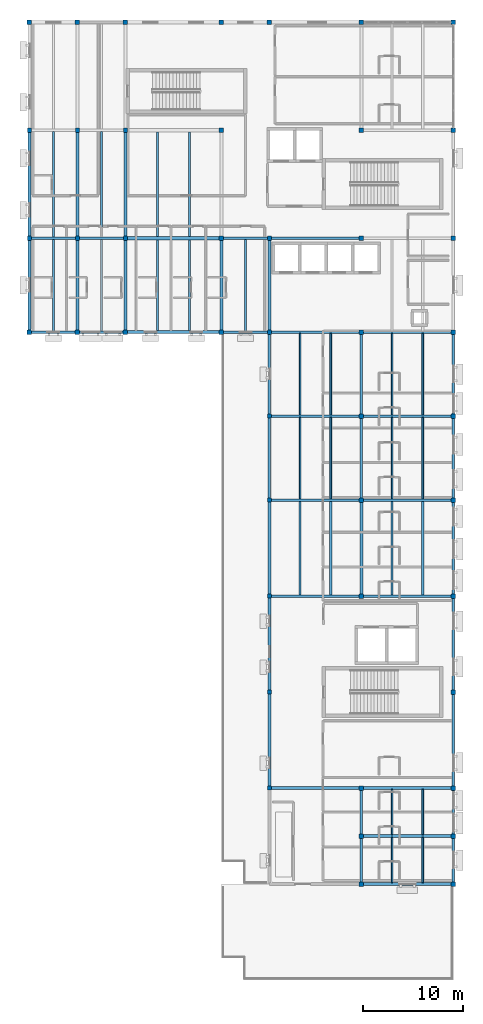
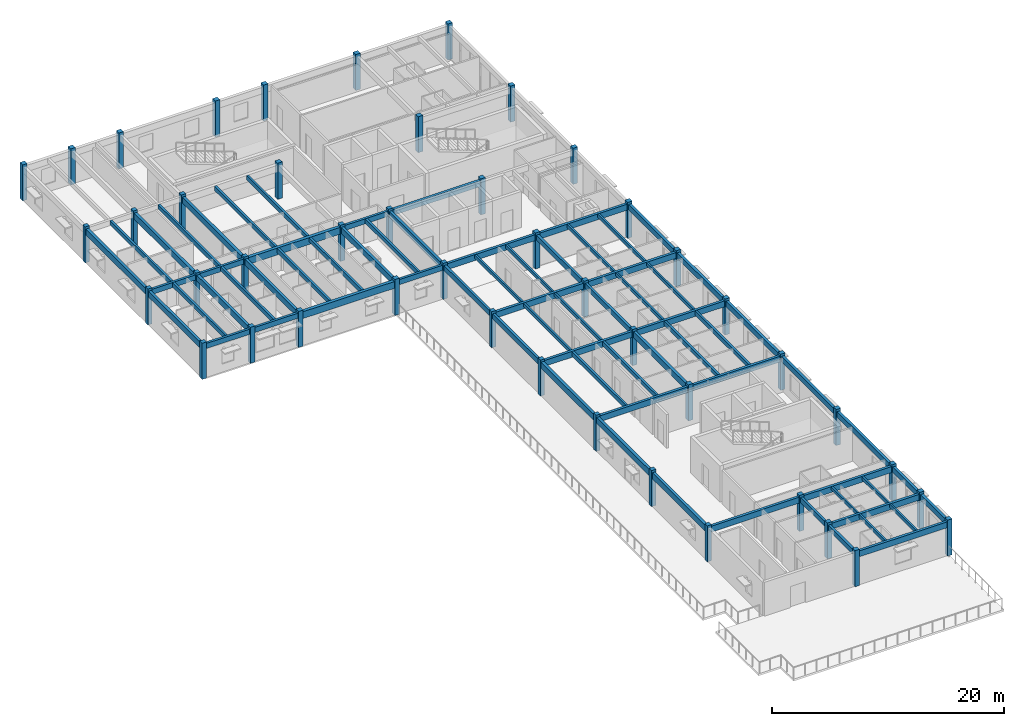
# One storey, part 1 of 18: 71 beams, 45 columns.
"""IFC4 building model written with IfcOpenShell, lengths in metres."""

from ifc_helpers import new_model, si_unit, direction, frame, origin, origin_2d, place, context, subcontext, project, spatial, rectangle, extrude, material, material_profile, profile_set, type_object, element, save


model = new_model("IFC4")

# Units and contexts
model_context = context("Model", 3, precision=1e-05, world=origin(), true_north=direction((0.0, 1.0)))
body_context = subcontext(model_context, "Body", "Model", "MODEL_VIEW")
ifc_project = project(units=[si_unit("LENGTHUNIT", "METRE"), si_unit("AREAUNIT", "SQUARE_METRE"), si_unit("VOLUMEUNIT", "CUBIC_METRE"), si_unit("PLANEANGLEUNIT", "RADIAN"), si_unit("MASSUNIT", "GRAM", prefix="KILO")], contexts=[model_context])

# Site, building, storey
site_placement = place(None, origin())
site = spatial("IfcSite", under=ifc_project, at=site_placement, CompositionType="ELEMENT")
building_placement = place(site_placement, origin())
building = spatial("IfcBuilding", under=site, at=building_placement, Name="Veldera Park Congress Hotel", CompositionType="ELEMENT")
storey_placement = place(building_placement, frame((0.0, 0.0, 31.39990234375)))
storey = spatial("IfcBuildingStorey", under=building, at=storey_placement, Name="L07", CompositionType="ELEMENT", Elevation=31.39990234375)

# Columns
ifc_material = material(Name="Glulam GL28h (NDS 24F-V4)", Category="wood")
ifc_material_profile_1 = material_profile(ifc_material, rectangle(XDim=0.419921875, YDim=0.419921875, at=origin_2d()), Name="GL28h 420x420")
ifc_profile_set_1 = profile_set([ifc_material_profile_1], Name="Glulam GL28h (NDS 24F-V4)")
column_type_1 = type_object("IfcColumnType", Name="COL-GL42", PredefinedType="COLUMN", material=ifc_profile_set_1)
for number, where, z_axis, x_axis, name in (
    (1, (41.60009765625, 36.39990234375, 0.0), (0.0, 0.0, 1.0), (1.0, 0.0, 0.0), "L07 Column COL-GL42 (41.6,36.4)"),
    (2, (41.60009765625, 47.199951171875, 0.0), (0.0, 0.0, 1.0), (1.0, 0.0, 0.0), "L07 Column COL-GL42 (41.6,47.2)"),
    (3, (65.60009765625, -18.60009765625, 0.0), (0.0, 0.0, 1.0), (1.0, 0.0, 0.0), "L07 Column COL-GL42 (65.6,-18.6)"),
    (4, (65.60009765625, -9.0, 0.0), (0.0, 0.0, 1.0), (1.0, 0.0, 0.0), "L07 Column COL-GL42 (65.6,-9.0)"),
    (5, (65.60009765625, 0.60009765625, 0.0), (0.0, 0.0, 1.0), (1.0, 0.0, 0.0), "L07 Column COL-GL42 (65.6,0.6)"),
    (6, (65.60009765625, 10.199951171875, 0.0), (0.0, 0.0, 1.0), (1.0, 0.0, 0.0), "L07 Column COL-GL42 (65.6,10.2)"),
    (7, (65.60009765625, 18.60009765625, 0.0), (0.0, 0.0, 1.0), (1.0, 0.0, 0.0), "L07 Column COL-GL42 (65.6,18.6)"),
    (8, (65.60009765625, 27.0, 0.0), (0.0, 0.0, 1.0), (1.0, 0.0, 0.0), "L07 Column COL-GL42 (65.6,27.0)"),
    (9, (65.60009765625, 36.39990234375, 0.0), (0.0, 0.0, 1.0), (1.0, 0.0, 0.0), "L07 Column COL-GL42 (65.6,36.4)"),
    (10, (46.39990234375, 36.39990234375, 0.0), (0.0, 0.0, 1.0), (1.0, 0.0, 0.0), "L07 Column COL-GL42 (46.4,36.4)"),
    (11, (46.39990234375, 47.199951171875, 0.0), (0.0, 0.0, 1.0), (1.0, 0.0, 0.0), "L07 Column COL-GL42 (46.4,47.2)"),
    (12, (51.199951171875, 36.39990234375, 0.0), (0.0, 0.0, 1.0), (1.0, 0.0, 0.0), "L07 Column COL-GL42 (51.2,36.4)"),
    (13, (51.199951171875, 47.199951171875, 0.0), (0.0, 0.0, 1.0), (1.0, 0.0, 0.0), "L07 Column COL-GL42 (51.2,47.2)"),
):
    element("IfcColumn", number, at=place(storey_placement, frame(where, z_axis=z_axis, x_axis=x_axis)), inside=storey, type_object=column_type_1, Name=name, PredefinedType="COLUMN", context=body_context, shape_type="SweptSolid", body=[
        extrude(rectangle(XDim=0.419921875, YDim=0.419921875, at=origin_2d()), origin(), (0.0, 0.0, 1.0), 3.800048828125),
    ])
ifc_material_profile_2 = material_profile(ifc_material, rectangle(XDim=0.449951171875, YDim=0.449951171875, at=origin_2d()), Name="GL28h 450x450")
ifc_profile_set_2 = profile_set([ifc_material_profile_2], Name="Glulam GL28h (NDS 24F-V4)")
column_type_2 = type_object("IfcColumnType", Name="COL-GL42E", PredefinedType="COLUMN", material=ifc_profile_set_2)
for number, where, z_axis, x_axis, name in (
    (14, (41.60009765625, 27.0, 0.0), (0.0, 0.0, 1.0), (1.0, 0.0, 0.0), "L07 Column COL-GL42E (41.6,27.0)"),
    (15, (41.60009765625, 58.0, 0.0), (0.0, 0.0, 1.0), (1.0, 0.0, 0.0), "L07 Column COL-GL42E (41.6,58.0)"),
    (16, (65.60009765625, 58.0, 0.0), (0.0, 0.0, 1.0), (1.0, 0.0, 0.0), "L07 Column COL-GL42E (65.6,58.0)"),
    (17, (46.39990234375, 27.0, 0.0), (0.0, 0.0, 1.0), (1.0, 0.0, 0.0), "L07 Column COL-GL42E (46.4,27.0)"),
    (18, (46.39990234375, 58.0, 0.0), (0.0, 0.0, 1.0), (1.0, 0.0, 0.0), "L07 Column COL-GL42E (46.4,58.0)"),
    (19, (51.199951171875, 27.0, 0.0), (0.0, 0.0, 1.0), (1.0, 0.0, 0.0), "L07 Column COL-GL42E (51.2,27.0)"),
    (20, (51.199951171875, 58.0, 0.0), (0.0, 0.0, 1.0), (1.0, 0.0, 0.0), "L07 Column COL-GL42E (51.2,58.0)"),
):
    element("IfcColumn", number, at=place(storey_placement, frame(where, z_axis=z_axis, x_axis=x_axis)), inside=storey, type_object=column_type_2, Name=name, PredefinedType="COLUMN", context=body_context, shape_type="SweptSolid", body=[
        extrude(rectangle(XDim=0.449951171875, YDim=0.449951171875, at=origin_2d()), origin(), (0.0, 0.0, 1.0), 3.800048828125),
    ])
ifc_material_profile_3 = material_profile(ifc_material, rectangle(XDim=0.449951171875, YDim=0.449951171875, at=origin_2d()), Name="GL28h 450x450")
ifc_profile_set_3 = profile_set([ifc_material_profile_3], Name="Glulam GL28h (NDS 24F-V4)")
column_type_3 = type_object("IfcColumnType", Name="COL-GL45", PredefinedType="COLUMN", material=ifc_profile_set_3)
for number, where, z_axis, x_axis, name in (
    (21, (74.800048828125, -28.199951171875, 0.0), (0.0, 0.0, 1.0), (1.0, 0.0, 0.0), "L07 Column COL-GL45 (74.8,-28.2)"),
    (22, (74.800048828125, -23.39990234375, 0.0), (0.0, 0.0, 1.0), (1.0, 0.0, 0.0), "L07 Column COL-GL45 (74.8,-23.4)"),
    (23, (74.800048828125, -18.60009765625, 0.0), (0.0, 0.0, 1.0), (1.0, 0.0, 0.0), "L07 Column COL-GL45 (74.8,-18.6)"),
    (24, (74.800048828125, 0.60009765625, 0.0), (0.0, 0.0, 1.0), (1.0, 0.0, 0.0), "L07 Column COL-GL45 (74.8,0.6)"),
    (25, (74.800048828125, 10.199951171875, 0.0), (0.0, 0.0, 1.0), (1.0, 0.0, 0.0), "L07 Column COL-GL45 (74.8,10.2)"),
    (26, (74.800048828125, 18.60009765625, 0.0), (0.0, 0.0, 1.0), (1.0, 0.0, 0.0), "L07 Column COL-GL45 (74.8,18.6)"),
    (27, (74.800048828125, 27.0, 0.0), (0.0, 0.0, 1.0), (1.0, 0.0, 0.0), "L07 Column COL-GL45 (74.8,27.0)"),
    (28, (74.800048828125, 36.39990234375, 0.0), (0.0, 0.0, 1.0), (1.0, 0.0, 0.0), "L07 Column COL-GL45 (74.8,36.4)"),
    (29, (74.800048828125, 47.199951171875, 0.0), (0.0, 0.0, 1.0), (1.0, 0.0, 0.0), "L07 Column COL-GL45 (74.8,47.2)"),
):
    element("IfcColumn", number, at=place(storey_placement, frame(where, z_axis=z_axis, x_axis=x_axis)), inside=storey, type_object=column_type_3, Name=name, PredefinedType="COLUMN", context=body_context, shape_type="SweptSolid", body=[
        extrude(rectangle(XDim=0.449951171875, YDim=0.449951171875, at=origin_2d()), origin(), (0.0, 0.0, 1.0), 3.800048828125),
    ])
ifc_material_profile_4 = material_profile(ifc_material, rectangle(XDim=0.449951171875, YDim=0.449951171875, at=origin_2d()), Name="GL28h 450x450")
ifc_profile_set_4 = profile_set([ifc_material_profile_4], Name="Glulam GL28h (NDS 24F-V4)")
column_type_4 = type_object("IfcColumnType", Name="COL-GL45E", PredefinedType="COLUMN", material=ifc_profile_set_4)
for number, where, z_axis, x_axis, name in (
    (30, (60.800048828125, 27.0, 0.0), (0.0, 0.0, 1.0), (1.0, 0.0, 0.0), "L07 Column COL-GL45E (60.8,27.0)"),
    (31, (60.800048828125, 36.39990234375, 0.0), (0.0, 0.0, 1.0), (1.0, 0.0, 0.0), "L07 Column COL-GL45E (60.8,36.4)"),
    (32, (60.800048828125, 47.199951171875, 0.0), (0.0, 0.0, 1.0), (1.0, 0.0, 0.0), "L07 Column COL-GL45E (60.8,47.2)"),
    (33, (60.800048828125, 58.0, 0.0), (0.0, 0.0, 1.0), (1.0, 0.0, 0.0), "L07 Column COL-GL45E (60.8,58.0)"),
    (34, (74.800048828125, 58.0, 0.0), (0.0, 0.0, 1.0), (1.0, 0.0, 0.0), "L07 Column COL-GL45E (74.8,58.0)"),
    (35, (84.0, -28.199951171875, 0.0), (0.0, 0.0, 1.0), (1.0, 0.0, 0.0), "L07 Column COL-GL45E (84.0,-28.2)"),
    (36, (84.0, -23.39990234375, 0.0), (0.0, 0.0, 1.0), (1.0, 0.0, 0.0), "L07 Column COL-GL45E (84.0,-23.4)"),
    (37, (84.0, -18.60009765625, 0.0), (0.0, 0.0, 1.0), (1.0, 0.0, 0.0), "L07 Column COL-GL45E (84.0,-18.6)"),
    (38, (84.0, -9.0, 0.0), (0.0, 0.0, 1.0), (1.0, 0.0, 0.0), "L07 Column COL-GL45E (84.0,-9.0)"),
    (39, (84.0, 0.60009765625, 0.0), (0.0, 0.0, 1.0), (1.0, 0.0, 0.0), "L07 Column COL-GL45E (84.0,0.6)"),
    (40, (84.0, 10.199951171875, 0.0), (0.0, 0.0, 1.0), (1.0, 0.0, 0.0), "L07 Column COL-GL45E (84.0,10.2)"),
    (41, (84.0, 18.60009765625, 0.0), (0.0, 0.0, 1.0), (1.0, 0.0, 0.0), "L07 Column COL-GL45E (84.0,18.6)"),
    (42, (84.0, 27.0, 0.0), (0.0, 0.0, 1.0), (1.0, 0.0, 0.0), "L07 Column COL-GL45E (84.0,27.0)"),
    (43, (84.0, 36.39990234375, 0.0), (0.0, 0.0, 1.0), (1.0, 0.0, 0.0), "L07 Column COL-GL45E (84.0,36.4)"),
    (44, (84.0, 47.199951171875, 0.0), (0.0, 0.0, 1.0), (1.0, 0.0, 0.0), "L07 Column COL-GL45E (84.0,47.2)"),
    (45, (84.0, 58.0, 0.0), (0.0, 0.0, 1.0), (1.0, 0.0, 0.0), "L07 Column COL-GL45E (84.0,58.0)"),
):
    element("IfcColumn", number, at=place(storey_placement, frame(where, z_axis=z_axis, x_axis=x_axis)), inside=storey, type_object=column_type_4, Name=name, PredefinedType="COLUMN", context=body_context, shape_type="SweptSolid", body=[
        extrude(rectangle(XDim=0.449951171875, YDim=0.449951171875, at=origin_2d()), origin(), (0.0, 0.0, 1.0), 3.800048828125),
    ])

# Beams
ifc_material_profile_5 = material_profile(ifc_material, rectangle(XDim=0.239990234375, YDim=0.5400390625, at=origin_2d()), Name="GL28h 240x540")
ifc_profile_set_5 = profile_set([ifc_material_profile_5], Name="Glulam GL28h (NDS 24F-V4)")
beam_type_1 = type_object("IfcBeamType", Name="BM-GL540", PredefinedType="BEAM", material=ifc_profile_set_5)
for number, where, z_axis, x_axis, name in (
    (46, (41.824951171875, 27.0, 3.28515625), (1.0, 0.0, 0.0), (0.0, 1.0, 0.0), "L07 Girder BM-GL540 1647"),
    (47, (46.625, 27.0, 3.28515625), (1.0, 0.0, 0.0), (0.0, 1.0, 0.0), "L07 Girder BM-GL540 1648"),
):
    element("IfcBeam", number, at=place(storey_placement, frame(where, z_axis=z_axis, x_axis=x_axis)), inside=storey, type_object=beam_type_1, Name=name, PredefinedType="BEAM", context=body_context, shape_type="SweptSolid", body=[
        extrude(rectangle(XDim=0.239990234375, YDim=0.5400390625, at=origin_2d()), origin(), (0.0, 0.0, 1.0), 4.35009765625),
    ])
beam_1_placement = place(storey_placement, frame((61.02490234375, 27.0, 3.28515625), z_axis=(1.0, 0.0, 0.0), x_axis=(0.0, 1.0, 0.0)))
element("IfcBeam", 48, at=beam_1_placement, inside=storey, type_object=beam_type_1, Name="L07 Girder BM-GL540 1650", PredefinedType="BEAM", context=body_context, shape_type="SweptSolid", body=[
    extrude(rectangle(XDim=0.239990234375, YDim=0.5400390625, at=origin_2d()), origin(), (0.0, 0.0, 1.0), 4.364990234375),
])
for number, where, z_axis, x_axis, name in (
    (49, (41.81005859375, 36.39990234375, 3.28515625), (1.0, 0.0, 0.0), (0.0, 1.0, 0.0), "L07 Girder BM-GL540 1653"),
    (50, (46.610107421875, 36.39990234375, 3.28515625), (1.0, 0.0, 0.0), (0.0, 1.0, 0.0), "L07 Girder BM-GL540 1654"),
):
    element("IfcBeam", number, at=place(storey_placement, frame(where, z_axis=z_axis, x_axis=x_axis)), inside=storey, type_object=beam_type_1, Name=name, PredefinedType="BEAM", context=body_context, shape_type="SweptSolid", body=[
        extrude(rectangle(XDim=0.239990234375, YDim=0.5400390625, at=origin_2d()), origin(), (0.0, 0.0, 1.0), 4.3798828125),
    ])
beam_2_placement = place(storey_placement, frame((61.02490234375, 36.39990234375, 3.28515625), z_axis=(1.0, 0.0, 0.0), x_axis=(0.0, 1.0, 0.0)))
element("IfcBeam", 51, at=beam_2_placement, inside=storey, type_object=beam_type_1, Name="L07 Girder BM-GL540 1656", PredefinedType="BEAM", context=body_context, shape_type="SweptSolid", body=[
    extrude(rectangle(XDim=0.239990234375, YDim=0.5400390625, at=origin_2d()), origin(), (0.0, 0.0, 1.0), 4.364990234375),
])
for number, where, z_axis, x_axis, name in (
    (52, (65.60009765625, 10.409912109375, 3.28515625), (0.0, 1.0, 0.0), (-1.0, 0.0, 0.0), "L07 Girder BM-GL540 1683"),
    (53, (65.60009765625, 18.81005859375, 3.28515625), (0.0, 1.0, 0.0), (-1.0, 0.0, 0.0), "L07 Girder BM-GL540 1684"),
):
    element("IfcBeam", number, at=place(storey_placement, frame(where, z_axis=z_axis, x_axis=x_axis)), inside=storey, type_object=beam_type_1, Name=name, PredefinedType="BEAM", context=body_context, shape_type="SweptSolid", body=[
        extrude(rectangle(XDim=0.239990234375, YDim=0.5400390625, at=origin_2d()), origin(), (0.0, 0.0, 1.0), 7.97998046875),
    ])
for number, where, z_axis, x_axis, name in (
    (54, (74.800048828125, -27.97509765625, 3.28515625), (0.0, 1.0, 0.0), (-1.0, 0.0, 0.0), "L07 Girder BM-GL540 1686"),
    (55, (74.800048828125, -23.175048828125, 3.28515625), (0.0, 1.0, 0.0), (-1.0, 0.0, 0.0), "L07 Girder BM-GL540 1687"),
):
    element("IfcBeam", number, at=place(storey_placement, frame(where, z_axis=z_axis, x_axis=x_axis)), inside=storey, type_object=beam_type_1, Name=name, PredefinedType="BEAM", context=body_context, shape_type="SweptSolid", body=[
        extrude(rectangle(XDim=0.239990234375, YDim=0.5400390625, at=origin_2d()), origin(), (0.0, 0.0, 1.0), 4.35009765625),
    ])
for number, where, z_axis, x_axis, name in (
    (56, (74.800048828125, 10.425048828125, 3.28515625), (0.0, 1.0, 0.0), (-1.0, 0.0, 0.0), "L07 Girder BM-GL540 1689"),
    (57, (74.800048828125, 18.824951171875, 3.28515625), (0.0, 1.0, 0.0), (-1.0, 0.0, 0.0), "L07 Girder BM-GL540 1690"),
):
    element("IfcBeam", number, at=place(storey_placement, frame(where, z_axis=z_axis, x_axis=x_axis)), inside=storey, type_object=beam_type_1, Name=name, PredefinedType="BEAM", context=body_context, shape_type="SweptSolid", body=[
        extrude(rectangle(XDim=0.239990234375, YDim=0.5400390625, at=origin_2d()), origin(), (0.0, 0.0, 1.0), 7.949951171875),
    ])
ifc_material_profile_6 = material_profile(ifc_material, rectangle(XDim=0.264892578125, YDim=0.580078125, at=origin_2d()), Name="GL28h 265x580")
ifc_profile_set_6 = profile_set([ifc_material_profile_6], Name="Glulam GL28h (NDS 24F-V4)")
beam_type_2 = type_object("IfcBeamType", Name="BM-GL540E", PredefinedType="BEAM", material=ifc_profile_set_6)
for number, where, z_axis, x_axis, name in (
    (58, (84.0, -27.97509765625, 3.26513671875), (0.0, 1.0, 0.0), (-1.0, 0.0, 0.0), "L07 Girder BM-GL540E 1692"),
    (59, (84.0, -23.175048828125, 3.26513671875), (0.0, 1.0, 0.0), (-1.0, 0.0, 0.0), "L07 Girder BM-GL540E 1693"),
):
    element("IfcBeam", number, at=place(storey_placement, frame(where, z_axis=z_axis, x_axis=x_axis)), inside=storey, type_object=beam_type_2, Name=name, PredefinedType="BEAM", context=body_context, shape_type="SweptSolid", body=[
        extrude(rectangle(XDim=0.264892578125, YDim=0.580078125, at=origin_2d()), origin(), (0.0, 0.0, 1.0), 4.35009765625),
    ])
for number, where, z_axis, x_axis, name in (
    (60, (84.0, -18.375, 3.26513671875), (0.0, 1.0, 0.0), (-1.0, 0.0, 0.0), "L07 Girder BM-GL540E 1694"),
    (61, (84.0, -8.77490234375, 3.26513671875), (0.0, 1.0, 0.0), (-1.0, 0.0, 0.0), "L07 Girder BM-GL540E 1695"),
):
    element("IfcBeam", number, at=place(storey_placement, frame(where, z_axis=z_axis, x_axis=x_axis)), inside=storey, type_object=beam_type_2, Name=name, PredefinedType="BEAM", context=body_context, shape_type="SweptSolid", body=[
        extrude(rectangle(XDim=0.264892578125, YDim=0.580078125, at=origin_2d()), origin(), (0.0, 0.0, 1.0), 9.14990234375),
    ])
beam_3_placement = place(storey_placement, frame((84.0, 0.824951171875, 3.26513671875), z_axis=(0.0, 1.0, 0.0), x_axis=(-1.0, 0.0, 0.0)))
element("IfcBeam", 62, at=beam_3_placement, inside=storey, type_object=beam_type_2, Name="L07 Girder BM-GL540E 1696", PredefinedType="BEAM", context=body_context, shape_type="SweptSolid", body=[
    extrude(rectangle(XDim=0.264892578125, YDim=0.580078125, at=origin_2d()), origin(), (0.0, 0.0, 1.0), 9.150146484375),
])
for number, where, z_axis, x_axis, name in (
    (63, (84.0, 10.425048828125, 3.26513671875), (0.0, 1.0, 0.0), (-1.0, 0.0, 0.0), "L07 Girder BM-GL540E 1697"),
    (64, (84.0, 18.824951171875, 3.26513671875), (0.0, 1.0, 0.0), (-1.0, 0.0, 0.0), "L07 Girder BM-GL540E 1698"),
):
    element("IfcBeam", number, at=place(storey_placement, frame(where, z_axis=z_axis, x_axis=x_axis)), inside=storey, type_object=beam_type_2, Name=name, PredefinedType="BEAM", context=body_context, shape_type="SweptSolid", body=[
        extrude(rectangle(XDim=0.264892578125, YDim=0.580078125, at=origin_2d()), origin(), (0.0, 0.0, 1.0), 7.949951171875),
    ])
ifc_material_profile_7 = material_profile(ifc_material, rectangle(XDim=0.264892578125, YDim=0.6201171875, at=origin_2d()), Name="GL28h 265x620")
ifc_profile_set_7 = profile_set([ifc_material_profile_7], Name="Glulam GL28h (NDS 24F-V4)")
beam_type_3 = type_object("IfcBeamType", Name="BM-GL620", PredefinedType="BEAM", material=ifc_profile_set_7)
for number, where, z_axis, x_axis, name in (
    (65, (75.02490234375, -28.199951171875, 3.2451171875), (1.0, 0.0, 0.0), (0.0, 1.0, 0.0), "L07 Girder BM-GL620 1637"),
    (66, (75.02490234375, -23.39990234375, 3.2451171875), (1.0, 0.0, 0.0), (0.0, 1.0, 0.0), "L07 Girder BM-GL620 1638"),
):
    element("IfcBeam", number, at=place(storey_placement, frame(where, z_axis=z_axis, x_axis=x_axis)), inside=storey, type_object=beam_type_3, Name=name, PredefinedType="BEAM", context=body_context, shape_type="SweptSolid", body=[
        extrude(rectangle(XDim=0.264892578125, YDim=0.6201171875, at=origin_2d()), origin(), (0.0, 0.0, 1.0), 8.75),
    ])
beam_4_placement = place(storey_placement, frame((65.81005859375, -18.60009765625, 3.2451171875), z_axis=(1.0, 0.0, 0.0), x_axis=(0.0, 1.0, 0.0)))
element("IfcBeam", 67, at=beam_4_placement, inside=storey, type_object=beam_type_3, Name="L07 Girder BM-GL620 1639", PredefinedType="BEAM", context=body_context, shape_type="SweptSolid", body=[
    extrude(rectangle(XDim=0.264892578125, YDim=0.6201171875, at=origin_2d()), origin(), (0.0, 0.0, 1.0), 8.764892578125),
])
beam_5_placement = place(storey_placement, frame((75.02490234375, -18.60009765625, 3.2451171875), z_axis=(1.0, 0.0, 0.0), x_axis=(0.0, 1.0, 0.0)))
element("IfcBeam", 68, at=beam_5_placement, inside=storey, type_object=beam_type_3, Name="L07 Girder BM-GL620 1640", PredefinedType="BEAM", context=body_context, shape_type="SweptSolid", body=[
    extrude(rectangle(XDim=0.264892578125, YDim=0.6201171875, at=origin_2d()), origin(), (0.0, 0.0, 1.0), 8.75),
])
beam_6_placement = place(storey_placement, frame((65.81005859375, 0.60009765625, 3.2451171875), z_axis=(1.0, 0.0, 0.0), x_axis=(0.0, 1.0, 0.0)))
element("IfcBeam", 69, at=beam_6_placement, inside=storey, type_object=beam_type_3, Name="L07 Girder BM-GL620 1641", PredefinedType="BEAM", context=body_context, shape_type="SweptSolid", body=[
    extrude(rectangle(XDim=0.264892578125, YDim=0.6201171875, at=origin_2d()), origin(), (0.0, 0.0, 1.0), 8.764892578125),
])
beam_7_placement = place(storey_placement, frame((75.02490234375, 0.60009765625, 3.2451171875), z_axis=(1.0, 0.0, 0.0), x_axis=(0.0, 1.0, 0.0)))
element("IfcBeam", 70, at=beam_7_placement, inside=storey, type_object=beam_type_3, Name="L07 Girder BM-GL620 1642", PredefinedType="BEAM", context=body_context, shape_type="SweptSolid", body=[
    extrude(rectangle(XDim=0.264892578125, YDim=0.6201171875, at=origin_2d()), origin(), (0.0, 0.0, 1.0), 8.75),
])
beam_8_placement = place(storey_placement, frame((65.81005859375, 10.199951171875, 3.2451171875), z_axis=(1.0, 0.0, 0.0), x_axis=(0.0, 1.0, 0.0)))
element("IfcBeam", 71, at=beam_8_placement, inside=storey, type_object=beam_type_3, Name="L07 Girder BM-GL620 1643", PredefinedType="BEAM", context=body_context, shape_type="SweptSolid", body=[
    extrude(rectangle(XDim=0.264892578125, YDim=0.6201171875, at=origin_2d()), origin(), (0.0, 0.0, 1.0), 8.764892578125),
])
beam_9_placement = place(storey_placement, frame((75.02490234375, 10.199951171875, 3.2451171875), z_axis=(1.0, 0.0, 0.0), x_axis=(0.0, 1.0, 0.0)))
element("IfcBeam", 72, at=beam_9_placement, inside=storey, type_object=beam_type_3, Name="L07 Girder BM-GL620 1644", PredefinedType="BEAM", context=body_context, shape_type="SweptSolid", body=[
    extrude(rectangle(XDim=0.264892578125, YDim=0.6201171875, at=origin_2d()), origin(), (0.0, 0.0, 1.0), 8.75),
])
beam_10_placement = place(storey_placement, frame((65.81005859375, 18.60009765625, 3.2451171875), z_axis=(1.0, 0.0, 0.0), x_axis=(0.0, 1.0, 0.0)))
element("IfcBeam", 73, at=beam_10_placement, inside=storey, type_object=beam_type_3, Name="L07 Girder BM-GL620 1645", PredefinedType="BEAM", context=body_context, shape_type="SweptSolid", body=[
    extrude(rectangle(XDim=0.264892578125, YDim=0.6201171875, at=origin_2d()), origin(), (0.0, 0.0, 1.0), 8.764892578125),
])
beam_11_placement = place(storey_placement, frame((75.02490234375, 18.60009765625, 3.2451171875), z_axis=(1.0, 0.0, 0.0), x_axis=(0.0, 1.0, 0.0)))
element("IfcBeam", 74, at=beam_11_placement, inside=storey, type_object=beam_type_3, Name="L07 Girder BM-GL620 1646", PredefinedType="BEAM", context=body_context, shape_type="SweptSolid", body=[
    extrude(rectangle(XDim=0.264892578125, YDim=0.6201171875, at=origin_2d()), origin(), (0.0, 0.0, 1.0), 8.75),
])
beam_12_placement = place(storey_placement, frame((65.81005859375, 27.0, 3.2451171875), z_axis=(1.0, 0.0, 0.0), x_axis=(0.0, 1.0, 0.0)))
element("IfcBeam", 75, at=beam_12_placement, inside=storey, type_object=beam_type_3, Name="L07 Girder BM-GL620 1651", PredefinedType="BEAM", context=body_context, shape_type="SweptSolid", body=[
    extrude(rectangle(XDim=0.264892578125, YDim=0.6201171875, at=origin_2d()), origin(), (0.0, 0.0, 1.0), 8.764892578125),
])
beam_13_placement = place(storey_placement, frame((75.02490234375, 27.0, 3.2451171875), z_axis=(1.0, 0.0, 0.0), x_axis=(0.0, 1.0, 0.0)))
element("IfcBeam", 76, at=beam_13_placement, inside=storey, type_object=beam_type_3, Name="L07 Girder BM-GL620 1652", PredefinedType="BEAM", context=body_context, shape_type="SweptSolid", body=[
    extrude(rectangle(XDim=0.264892578125, YDim=0.6201171875, at=origin_2d()), origin(), (0.0, 0.0, 1.0), 8.75),
])
beam_14_placement = place(storey_placement, frame((65.81005859375, 36.39990234375, 3.2451171875), z_axis=(1.0, 0.0, 0.0), x_axis=(0.0, 1.0, 0.0)))
element("IfcBeam", 77, at=beam_14_placement, inside=storey, type_object=beam_type_3, Name="L07 Girder BM-GL620 1657", PredefinedType="BEAM", context=body_context, shape_type="SweptSolid", body=[
    extrude(rectangle(XDim=0.264892578125, YDim=0.6201171875, at=origin_2d()), origin(), (0.0, 0.0, 1.0), 8.764892578125),
])
for number, where, z_axis, x_axis, name in (
    (78, (41.60009765625, 27.22509765625, 3.2451171875), (0.0, 1.0, 0.0), (-1.0, 0.0, 0.0), "L07 Girder BM-GL620 1669"),
    (79, (46.39990234375, 27.22509765625, 3.2451171875), (0.0, 1.0, 0.0), (-1.0, 0.0, 0.0), "L07 Girder BM-GL620 1672"),
    (80, (51.199951171875, 27.22509765625, 3.2451171875), (0.0, 1.0, 0.0), (-1.0, 0.0, 0.0), "L07 Girder BM-GL620 1675"),
):
    element("IfcBeam", number, at=place(storey_placement, frame(where, z_axis=z_axis, x_axis=x_axis)), inside=storey, type_object=beam_type_3, Name=name, PredefinedType="BEAM", context=body_context, shape_type="SweptSolid", body=[
        extrude(rectangle(XDim=0.264892578125, YDim=0.6201171875, at=origin_2d()), origin(), (0.0, 0.0, 1.0), 8.96484375),
    ])
beam_15_placement = place(storey_placement, frame((60.800048828125, 27.22509765625, 3.2451171875), z_axis=(0.0, 1.0, 0.0), x_axis=(-1.0, 0.0, 0.0)))
element("IfcBeam", 81, at=beam_15_placement, inside=storey, type_object=beam_type_3, Name="L07 Girder BM-GL620 1678", PredefinedType="BEAM", context=body_context, shape_type="SweptSolid", body=[
    extrude(rectangle(XDim=0.264892578125, YDim=0.6201171875, at=origin_2d()), origin(), (0.0, 0.0, 1.0), 8.949951171875),
])
beam_16_placement = place(storey_placement, frame((65.60009765625, 27.2099609375, 3.2451171875), z_axis=(0.0, 1.0, 0.0), x_axis=(-1.0, 0.0, 0.0)))
element("IfcBeam", 82, at=beam_16_placement, inside=storey, type_object=beam_type_3, Name="L07 Girder BM-GL620 1685", PredefinedType="BEAM", context=body_context, shape_type="SweptSolid", body=[
    extrude(rectangle(XDim=0.264892578125, YDim=0.6201171875, at=origin_2d()), origin(), (0.0, 0.0, 1.0), 8.97998046875),
])
ifc_material_profile_8 = material_profile(ifc_material, rectangle(XDim=0.280029296875, YDim=0.639892578125, at=origin_2d()), Name="GL28h 280x640")
ifc_profile_set_8 = profile_set([ifc_material_profile_8], Name="Glulam GL28h (NDS 24F-V4)")
beam_type_4 = type_object("IfcBeamType", Name="BM-GL640", PredefinedType="BEAM", material=ifc_profile_set_8)
for number, where, z_axis, x_axis, name in (
    (83, (41.60009765625, 36.610107421875, 3.235107421875), (0.0, 1.0, 0.0), (-1.0, 0.0, 0.0), "L07 Girder BM-GL640 1670"),
    (84, (46.39990234375, 36.610107421875, 3.235107421875), (0.0, 1.0, 0.0), (-1.0, 0.0, 0.0), "L07 Girder BM-GL640 1673"),
    (85, (51.199951171875, 36.610107421875, 3.235107421875), (0.0, 1.0, 0.0), (-1.0, 0.0, 0.0), "L07 Girder BM-GL640 1676"),
):
    element("IfcBeam", number, at=place(storey_placement, frame(where, z_axis=z_axis, x_axis=x_axis)), inside=storey, type_object=beam_type_4, Name=name, PredefinedType="BEAM", context=body_context, shape_type="SweptSolid", body=[
        extrude(rectangle(XDim=0.280029296875, YDim=0.639892578125, at=origin_2d()), origin(), (0.0, 0.0, 1.0), 10.3798828125),
    ])
for number, where, z_axis, x_axis, name in (
    (86, (65.60009765625, -18.389892578125, 3.235107421875), (0.0, 1.0, 0.0), (-1.0, 0.0, 0.0), "L07 Girder BM-GL640 1680"),
    (87, (65.60009765625, -8.7900390625, 3.235107421875), (0.0, 1.0, 0.0), (-1.0, 0.0, 0.0), "L07 Girder BM-GL640 1681"),
    (88, (65.60009765625, 0.81005859375, 3.235107421875), (0.0, 1.0, 0.0), (-1.0, 0.0, 0.0), "L07 Girder BM-GL640 1682"),
):
    element("IfcBeam", number, at=place(storey_placement, frame(where, z_axis=z_axis, x_axis=x_axis)), inside=storey, type_object=beam_type_4, Name=name, PredefinedType="BEAM", context=body_context, shape_type="SweptSolid", body=[
        extrude(rectangle(XDim=0.280029296875, YDim=0.639892578125, at=origin_2d()), origin(), (0.0, 0.0, 1.0), 9.179931640625),
    ])
beam_17_placement = place(storey_placement, frame((74.800048828125, 0.824951171875, 3.235107421875), z_axis=(0.0, 1.0, 0.0), x_axis=(-1.0, 0.0, 0.0)))
element("IfcBeam", 89, at=beam_17_placement, inside=storey, type_object=beam_type_4, Name="L07 Girder BM-GL640 1688", PredefinedType="BEAM", context=body_context, shape_type="SweptSolid", body=[
    extrude(rectangle(XDim=0.280029296875, YDim=0.639892578125, at=origin_2d()), origin(), (0.0, 0.0, 1.0), 9.150146484375),
])
ifc_material_profile_9 = material_profile(ifc_material, rectangle(XDim=0.31494140625, YDim=0.719970703125, at=origin_2d()), Name="GL28h 315x720")
ifc_profile_set_9 = profile_set([ifc_material_profile_9], Name="Glulam GL28h (NDS 24F-V4)")
beam_type_5 = type_object("IfcBeamType", Name="BM-GL720", PredefinedType="BEAM", material=ifc_profile_set_9)
beam_18_placement = place(storey_placement, frame((51.425048828125, 27.0, 3.195068359375), z_axis=(1.0, 0.0, 0.0), x_axis=(0.0, 1.0, 0.0)))
element("IfcBeam", 90, at=beam_18_placement, inside=storey, type_object=beam_type_5, Name="L07 Girder BM-GL720 1649", PredefinedType="BEAM", context=body_context, shape_type="SweptSolid", body=[
    extrude(rectangle(XDim=0.31494140625, YDim=0.719970703125, at=origin_2d()), origin(), (0.0, 0.0, 1.0), 9.14990234375),
])
beam_19_placement = place(storey_placement, frame((51.409912109375, 36.39990234375, 3.195068359375), z_axis=(1.0, 0.0, 0.0), x_axis=(0.0, 1.0, 0.0)))
element("IfcBeam", 91, at=beam_19_placement, inside=storey, type_object=beam_type_5, Name="L07 Girder BM-GL720 1655", PredefinedType="BEAM", context=body_context, shape_type="SweptSolid", body=[
    extrude(rectangle(XDim=0.31494140625, YDim=0.719970703125, at=origin_2d()), origin(), (0.0, 0.0, 1.0), 9.1650390625),
])
ifc_material_profile_10 = material_profile(ifc_material, rectangle(XDim=0.179931640625, YDim=0.360107421875, at=origin_2d()), Name="GL28h 180x360")
ifc_profile_set_10 = profile_set([ifc_material_profile_10], Name="Glulam GL28h (NDS 24F-V4)")
beam_type_6 = type_object("IfcBeamType", Name="JST-GL360", PredefinedType="JOIST", material=ifc_profile_set_10)
for number, where, z_axis, x_axis, name in (
    (92, (77.86669921875, -28.0673828125, 3.375), (0.0, 1.0, 0.0), (-1.0, 0.0, 0.0), "L07 Floor Joist JST-GL360 1702"),
    (93, (80.933349609375, -28.0673828125, 3.375), (0.0, 1.0, 0.0), (-1.0, 0.0, 0.0), "L07 Floor Joist JST-GL360 1703"),
):
    element("IfcBeam", number, at=place(storey_placement, frame(where, z_axis=z_axis, x_axis=x_axis)), inside=storey, type_object=beam_type_6, Name=name, PredefinedType="JOIST", context=body_context, shape_type="SweptSolid", body=[
        extrude(rectangle(XDim=0.179931640625, YDim=0.360107421875, at=origin_2d()), origin(), (0.0, 0.0, 1.0), 4.534912109375),
    ])
for number, where, z_axis, x_axis, name in (
    (94, (77.86669921875, -23.267578125, 3.375), (0.0, 1.0, 0.0), (-1.0, 0.0, 0.0), "L07 Floor Joist JST-GL360 1704"),
    (95, (80.933349609375, -23.267578125, 3.375), (0.0, 1.0, 0.0), (-1.0, 0.0, 0.0), "L07 Floor Joist JST-GL360 1705"),
):
    element("IfcBeam", number, at=place(storey_placement, frame(where, z_axis=z_axis, x_axis=x_axis)), inside=storey, type_object=beam_type_6, Name=name, PredefinedType="JOIST", context=body_context, shape_type="SweptSolid", body=[
        extrude(rectangle(XDim=0.179931640625, YDim=0.360107421875, at=origin_2d()), origin(), (0.0, 0.0, 1.0), 4.53515625),
    ])
for number, where, z_axis, x_axis, name in (
    (96, (68.666748046875, 10.33251953125, 3.375), (0.0, 1.0, 0.0), (-1.0, 0.0, 0.0), "L07 Floor Joist JST-GL360 1710"),
    (97, (71.7333984375, 10.33251953125, 3.375), (0.0, 1.0, 0.0), (-1.0, 0.0, 0.0), "L07 Floor Joist JST-GL360 1711"),
    (98, (77.86669921875, 10.33251953125, 3.375), (0.0, 1.0, 0.0), (-1.0, 0.0, 0.0), "L07 Floor Joist JST-GL360 1712"),
    (99, (80.933349609375, 10.33251953125, 3.375), (0.0, 1.0, 0.0), (-1.0, 0.0, 0.0), "L07 Floor Joist JST-GL360 1713"),
    (100, (68.666748046875, 18.732421875, 3.375), (0.0, 1.0, 0.0), (-1.0, 0.0, 0.0), "L07 Floor Joist JST-GL360 1714"),
    (101, (71.7333984375, 18.732421875, 3.375), (0.0, 1.0, 0.0), (-1.0, 0.0, 0.0), "L07 Floor Joist JST-GL360 1715"),
    (102, (77.86669921875, 18.732421875, 3.375), (0.0, 1.0, 0.0), (-1.0, 0.0, 0.0), "L07 Floor Joist JST-GL360 1716"),
    (103, (80.933349609375, 18.732421875, 3.375), (0.0, 1.0, 0.0), (-1.0, 0.0, 0.0), "L07 Floor Joist JST-GL360 1717"),
):
    element("IfcBeam", number, at=place(storey_placement, frame(where, z_axis=z_axis, x_axis=x_axis)), inside=storey, type_object=beam_type_6, Name=name, PredefinedType="JOIST", context=body_context, shape_type="SweptSolid", body=[
        extrude(rectangle(XDim=0.179931640625, YDim=0.360107421875, at=origin_2d()), origin(), (0.0, 0.0, 1.0), 8.135009765625),
    ])
ifc_material_profile_11 = material_profile(ifc_material, rectangle(XDim=0.215087890625, YDim=0.449951171875, at=origin_2d()), Name="GL28h 215x450")
ifc_profile_set_11 = profile_set([ifc_material_profile_11], Name="Glulam GL28h (NDS 24F-V4)")
beam_type_7 = type_object("IfcBeamType", Name="JST-GL450", PredefinedType="JOIST", material=ifc_profile_set_11)
for number, where, z_axis, x_axis, name in (
    (104, (68.666748046875, 0.732421875, 3.330078125), (0.0, 1.0, 0.0), (-1.0, 0.0, 0.0), "L07 Floor Joist JST-GL450 1706"),
    (105, (71.7333984375, 0.732421875, 3.330078125), (0.0, 1.0, 0.0), (-1.0, 0.0, 0.0), "L07 Floor Joist JST-GL450 1707"),
    (106, (77.86669921875, 0.732421875, 3.330078125), (0.0, 1.0, 0.0), (-1.0, 0.0, 0.0), "L07 Floor Joist JST-GL450 1708"),
    (107, (80.933349609375, 0.732421875, 3.330078125), (0.0, 1.0, 0.0), (-1.0, 0.0, 0.0), "L07 Floor Joist JST-GL450 1709"),
):
    element("IfcBeam", number, at=place(storey_placement, frame(where, z_axis=z_axis, x_axis=x_axis)), inside=storey, type_object=beam_type_7, Name=name, PredefinedType="JOIST", context=body_context, shape_type="SweptSolid", body=[
        extrude(rectangle(XDim=0.215087890625, YDim=0.449951171875, at=origin_2d()), origin(), (0.0, 0.0, 1.0), 9.3349609375),
    ])
for number, where, z_axis, x_axis, name in (
    (108, (44.0, 27.1201171875, 3.330078125), (0.0, 1.0, 0.0), (-1.0, 0.0, 0.0), "L07 Floor Joist JST-GL450 1718"),
    (109, (48.800048828125, 27.1201171875, 3.330078125), (0.0, 1.0, 0.0), (-1.0, 0.0, 0.0), "L07 Floor Joist JST-GL450 1719"),
):
    element("IfcBeam", number, at=place(storey_placement, frame(where, z_axis=z_axis, x_axis=x_axis)), inside=storey, type_object=beam_type_7, Name=name, PredefinedType="JOIST", context=body_context, shape_type="SweptSolid", body=[
        extrude(rectangle(XDim=0.215087890625, YDim=0.449951171875, at=origin_2d()), origin(), (0.0, 0.0, 1.0), 9.159912109375),
    ])
for number, where, z_axis, x_axis, name in (
    (110, (54.39990234375, 27.157470703125, 3.330078125), (0.0, 1.0, 0.0), (-1.0, 0.0, 0.0), "L07 Floor Joist JST-GL450 1720"),
    (111, (57.60009765625, 27.157470703125, 3.330078125), (0.0, 1.0, 0.0), (-1.0, 0.0, 0.0), "L07 Floor Joist JST-GL450 1721"),
):
    element("IfcBeam", number, at=place(storey_placement, frame(where, z_axis=z_axis, x_axis=x_axis)), inside=storey, type_object=beam_type_7, Name=name, PredefinedType="JOIST", context=body_context, shape_type="SweptSolid", body=[
        extrude(rectangle(XDim=0.215087890625, YDim=0.449951171875, at=origin_2d()), origin(), (0.0, 0.0, 1.0), 9.0849609375),
    ])
beam_20_placement = place(storey_placement, frame((63.199951171875, 27.1201171875, 3.330078125), z_axis=(0.0, 1.0, 0.0), x_axis=(-1.0, 0.0, 0.0)))
element("IfcBeam", 112, at=beam_20_placement, inside=storey, type_object=beam_type_7, Name="L07 Floor Joist JST-GL450 1722", PredefinedType="JOIST", context=body_context, shape_type="SweptSolid", body=[
    extrude(rectangle(XDim=0.215087890625, YDim=0.449951171875, at=origin_2d()), origin(), (0.0, 0.0, 1.0), 9.159912109375),
])
for number, where, z_axis, x_axis, name in (
    (113, (44.0, 36.52001953125, 3.330078125), (0.0, 1.0, 0.0), (-1.0, 0.0, 0.0), "L07 Floor Joist JST-GL450 1725"),
    (114, (48.800048828125, 36.52001953125, 3.330078125), (0.0, 1.0, 0.0), (-1.0, 0.0, 0.0), "L07 Floor Joist JST-GL450 1726"),
):
    element("IfcBeam", number, at=place(storey_placement, frame(where, z_axis=z_axis, x_axis=x_axis)), inside=storey, type_object=beam_type_7, Name=name, PredefinedType="JOIST", context=body_context, shape_type="SweptSolid", body=[
        extrude(rectangle(XDim=0.215087890625, YDim=0.449951171875, at=origin_2d()), origin(), (0.0, 0.0, 1.0), 10.56005859375),
    ])
for number, where, z_axis, x_axis, name in (
    (115, (54.39990234375, 36.5576171875, 3.330078125), (0.0, 1.0, 0.0), (-1.0, 0.0, 0.0), "L07 Floor Joist JST-GL450 1727"),
    (116, (57.60009765625, 36.5576171875, 3.330078125), (0.0, 1.0, 0.0), (-1.0, 0.0, 0.0), "L07 Floor Joist JST-GL450 1728"),
):
    element("IfcBeam", number, at=place(storey_placement, frame(where, z_axis=z_axis, x_axis=x_axis)), inside=storey, type_object=beam_type_7, Name=name, PredefinedType="JOIST", context=body_context, shape_type="SweptSolid", body=[
        extrude(rectangle(XDim=0.215087890625, YDim=0.449951171875, at=origin_2d()), origin(), (0.0, 0.0, 1.0), 10.48486328125),
    ])

save(model, "model.ifc")
